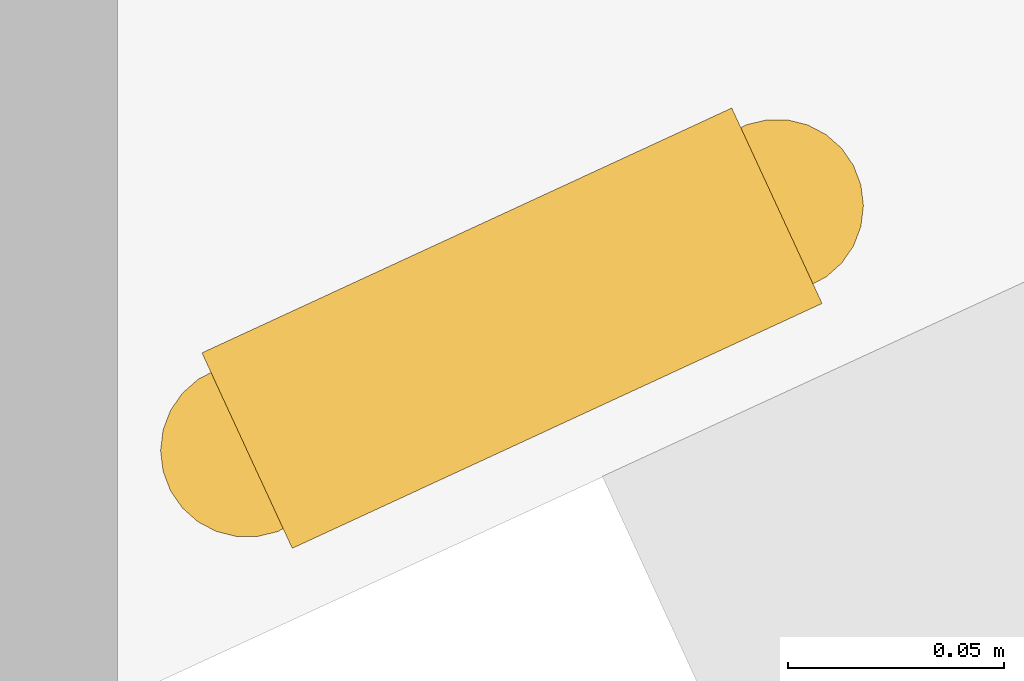
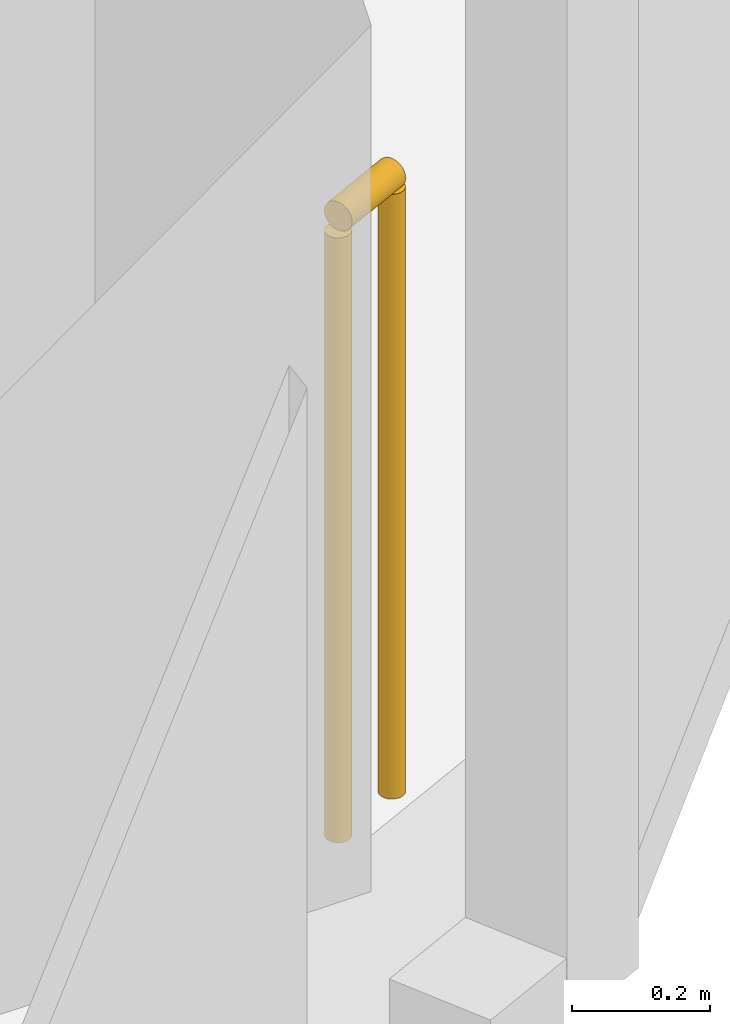
# One storey, part 25 of 26: 1 railing.
"""IFC4 building model written with IfcOpenShell, lengths in metres."""

from ifc_helpers import new_model, si_unit, direction, frame, origin, origin_2d, place, context, subcontext, project, spatial, circle, extrude, material, type_object, element, save


model = new_model("IFC4")

# Units and contexts
model_context = context("Model", 3, precision=1e-05, world=origin(), true_north=direction((0.0, 1.0)))
body_context = subcontext(model_context, "Body", "Model", "MODEL_VIEW")
ifc_project = project(units=[si_unit("LENGTHUNIT", "METRE"), si_unit("AREAUNIT", "SQUARE_METRE"), si_unit("VOLUMEUNIT", "CUBIC_METRE"), si_unit("PLANEANGLEUNIT", "RADIAN"), si_unit("MASSUNIT", "GRAM", prefix="KILO")], contexts=[model_context])

# Site, building, storey
site_placement = place(None, origin())
site = spatial("IfcSite", under=ifc_project, at=site_placement, CompositionType="ELEMENT")
building_placement = place(site_placement, origin())
building = spatial("IfcBuilding", under=site, at=building_placement, Name="Orlundy Tower", CompositionType="ELEMENT")
storey_placement = place(building_placement, frame((0.0, 0.0, 214.0)))
storey = spatial("IfcBuildingStorey", under=building, at=storey_placement, Name="L56", CompositionType="ELEMENT", Elevation=214.0)

# Railing
ifc_material = material(Name="Stainless steel bronze finish", Category="steel")
railing_type = type_object("IfcRailingType", Name="TG1 terrace guard", PredefinedType="GUARDRAIL", material=ifc_material)
railing_placement = place(storey_placement, frame((37.007568359375, -10.939453125, 0.0)))
element("IfcRailing", 1, at=railing_placement, inside=storey, type_object=railing_type, Name="Guard TG-L56-E00", PredefinedType="GUARDRAIL", context=body_context, shape_type="SweptSolid", body=[
    extrude(circle(Radius=0.02490234375, at=origin_2d()), frame((0.0, 0.0, 1.09521484375), z_axis=(-0.907747569666, -0.419516805105, 0.0), x_axis=(0.419516805105, -0.907747569666, 0.0)), (0.0, 0.0, 1.0), 0.135009765625),
    extrude(circle(Radius=0.02001953125, at=origin_2d()), origin(), (0.0, 0.0, 1.0), 1.070068359375),
    extrude(circle(Radius=0.02001953125, at=origin_2d()), frame((-0.12255859375, -0.056640625, 0.0)), (0.0, 0.0, 1.0), 1.070068359375),
])

save(model, "model.ifc")
